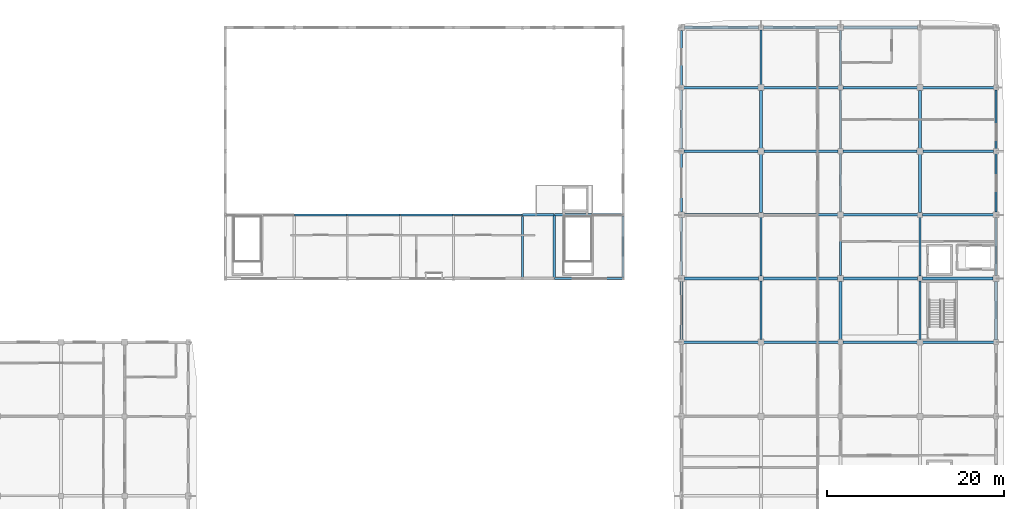
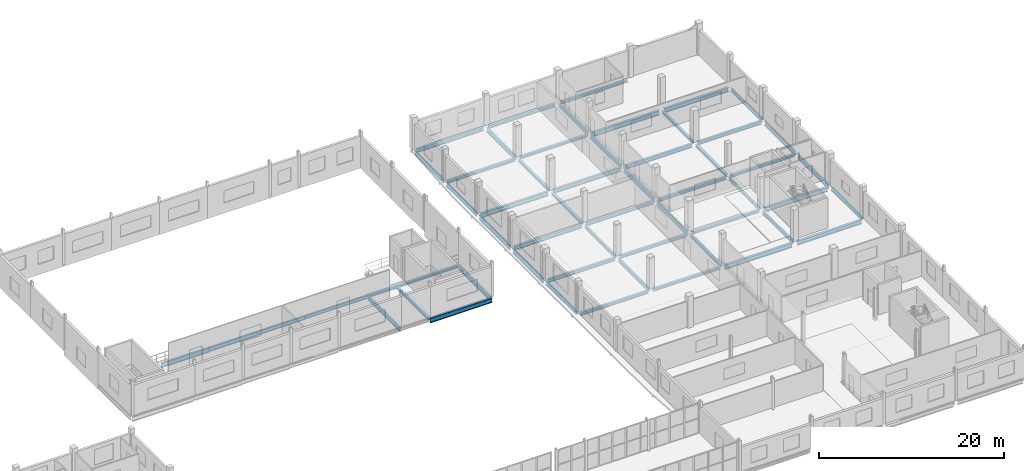
# One storey, part 71 of 121: 56 beams.
"""IFC4 building model written with IfcOpenShell, lengths in metres."""

from ifc_helpers import new_model, si_unit, direction, frame, origin, origin_2d, place, context, subcontext, project, spatial, i_section, extrude, material, material_profile, profile_set, type_object, element, save


model = new_model("IFC4")

# Units and contexts
model_context = context("Model", 3, precision=1e-05, world=origin(), true_north=direction((0.0, 1.0)))
body_context = subcontext(model_context, "Body", "Model", "MODEL_VIEW")
ifc_project = project(units=[si_unit("LENGTHUNIT", "METRE"), si_unit("AREAUNIT", "SQUARE_METRE"), si_unit("VOLUMEUNIT", "CUBIC_METRE"), si_unit("PLANEANGLEUNIT", "RADIAN"), si_unit("MASSUNIT", "GRAM", prefix="KILO")], contexts=[model_context])

# Site, building, storey
site_placement = place(None, origin())
site = spatial("IfcSite", under=ifc_project, at=site_placement, CompositionType="ELEMENT")
building_placement = place(site_placement, origin())
building = spatial("IfcBuilding", under=site, at=building_placement, Name="Vinh Khe Railworks Police Headquarters", CompositionType="ELEMENT")
storey_placement = place(building_placement, frame((0.0, 0.0, 4.800048828125)))
storey = spatial("IfcBuildingStorey", under=building, at=storey_placement, Name="L01", CompositionType="ELEMENT", Elevation=4.800048828125)

# Beams
ifc_material = material(Name="Steel S355JR", Category="steel")
ifc_material_profile_1 = material_profile(ifc_material, i_section(OverallWidth=0.300048828125, OverallDepth=0.330078125, WebThickness=0.009521484375, FlangeThickness=0.0166015625, FilletRadius=0.027099609375, at=origin_2d()), Name="HEA 340")
ifc_profile_set_1 = profile_set([ifc_material_profile_1], Name="Steel S355JR")
beam_type_1 = type_object("IfcBeamType", Name="Steel Girder HEA 340", PredefinedType="BEAM", material=ifc_profile_set_1)
beam_1_placement = place(storey_placement, frame((63.6201171875, 145.199951171875, -0.405029296875), z_axis=(1.0, 0.0, 0.0), x_axis=(0.0, 1.0, 0.0)))
element("IfcBeam", 1, at=beam_1_placement, inside=storey, type_object=beam_type_1, Name="Girder BM-L01-EW-SB-16-0542", PredefinedType="BEAM", context=body_context, shape_type="SweptSolid", body=[
    extrude(i_section(OverallWidth=0.300048828125, OverallDepth=0.330078125, WebThickness=0.009521484375, FlangeThickness=0.0166015625, FilletRadius=0.027099609375, at=origin_2d()), origin(), (0.0, 0.0, 1.0), 7.759765625),
])
beam_2_placement = place(storey_placement, frame((63.60009765625, 138.114990234375, -0.405029296875), z_axis=(0.0, 1.0, 0.0), x_axis=(-1.0, 0.0, 0.0)))
element("IfcBeam", 2, at=beam_2_placement, inside=storey, type_object=beam_type_1, Name="Girder BM-L01-NS-SB-16-0668", PredefinedType="BEAM", context=body_context, shape_type="SweptSolid", body=[
    extrude(i_section(OverallWidth=0.300048828125, OverallDepth=0.330078125, WebThickness=0.009521484375, FlangeThickness=0.0166015625, FilletRadius=0.027099609375, at=origin_2d()), origin(), (0.0, 0.0, 1.0), 6.989990234375),
])
beam_3_placement = place(storey_placement, frame((78.0, 131.054931640625, -0.405029296875), z_axis=(0.0, 1.0, 0.0), x_axis=(-1.0, 0.0, 0.0)))
element("IfcBeam", 3, at=beam_3_placement, inside=storey, type_object=beam_type_1, Name="Girder BM-L01-NS-SB-16-0674", PredefinedType="BEAM", context=body_context, shape_type="SweptSolid", body=[
    extrude(i_section(OverallWidth=0.300048828125, OverallDepth=0.330078125, WebThickness=0.009521484375, FlangeThickness=0.0166015625, FilletRadius=0.027099609375, at=origin_2d()), origin(), (0.0, 0.0, 1.0), 6.614990234375),
])
beam_4_placement = place(storey_placement, frame((87.0, 152.72998046875, -0.405029296875), z_axis=(0.0, 1.0, 0.0), x_axis=(-1.0, 0.0, 0.0)))
element("IfcBeam", 4, at=beam_4_placement, inside=storey, type_object=beam_type_1, Name="Girder BM-L01-NS-SB-16-0686", PredefinedType="BEAM", context=body_context, shape_type="SweptSolid", body=[
    extrude(i_section(OverallWidth=0.300048828125, OverallDepth=0.330078125, WebThickness=0.009521484375, FlangeThickness=0.0166015625, FilletRadius=0.027099609375, at=origin_2d()), origin(), (0.0, 0.0, 1.0), 6.56494140625),
])
beam_5_placement = place(storey_placement, frame((96.0, 131.054931640625, -0.405029296875), z_axis=(0.0, 1.0, 0.0), x_axis=(-1.0, 0.0, 0.0)))
element("IfcBeam", 5, at=beam_5_placement, inside=storey, type_object=beam_type_1, Name="Girder BM-L01-NS-SB-16-0692", PredefinedType="BEAM", context=body_context, shape_type="SweptSolid", body=[
    extrude(i_section(OverallWidth=0.300048828125, OverallDepth=0.330078125, WebThickness=0.009521484375, FlangeThickness=0.0166015625, FilletRadius=0.027099609375, at=origin_2d()), origin(), (0.0, 0.0, 1.0), 6.614990234375),
])
beam_6_placement = place(storey_placement, frame((105.0, 152.72998046875, -0.405029296875), z_axis=(0.0, 1.0, 0.0), x_axis=(-1.0, 0.0, 0.0)))
element("IfcBeam", 6, at=beam_6_placement, inside=storey, type_object=beam_type_1, Name="Girder BM-L01-NS-SB-16-0704", PredefinedType="BEAM", context=body_context, shape_type="SweptSolid", body=[
    extrude(i_section(OverallWidth=0.300048828125, OverallDepth=0.330078125, WebThickness=0.009521484375, FlangeThickness=0.0166015625, FilletRadius=0.027099609375, at=origin_2d()), origin(), (0.0, 0.0, 1.0), 6.56494140625),
])
beam_7_placement = place(storey_placement, frame((113.60009765625, 131.054931640625, -0.405029296875), z_axis=(0.0, 1.0, 0.0), x_axis=(-1.0, 0.0, 0.0)))
element("IfcBeam", 7, at=beam_7_placement, inside=storey, type_object=beam_type_1, Name="Girder BM-L01-NS-SB-16-0710", PredefinedType="BEAM", context=body_context, shape_type="SweptSolid", body=[
    extrude(i_section(OverallWidth=0.300048828125, OverallDepth=0.330078125, WebThickness=0.009521484375, FlangeThickness=0.0166015625, FilletRadius=0.027099609375, at=origin_2d()), origin(), (0.0, 0.0, 1.0), 6.614990234375),
])
ifc_material_profile_2 = material_profile(ifc_material, i_section(OverallWidth=0.300048828125, OverallDepth=0.35009765625, WebThickness=0.010009765625, FlangeThickness=0.017578125, FilletRadius=0.027099609375, at=origin_2d()), Name="HEA 360")
ifc_profile_set_2 = profile_set([ifc_material_profile_2], Name="Steel S355JR")
beam_type_2 = type_object("IfcBeamType", Name="Steel Girder HEA 360", PredefinedType="BEAM", material=ifc_profile_set_2)
beam_8_placement = place(storey_placement, frame((87.304931640625, 130.800048828125, -0.4150390625), z_axis=(1.0, 0.0, 0.0), x_axis=(0.0, 1.0, 0.0)))
element("IfcBeam", 8, at=beam_8_placement, inside=storey, type_object=beam_type_2, Name="Girder BM-L01-EW-SB-15-0522", PredefinedType="BEAM", context=body_context, shape_type="SweptSolid", body=[
    extrude(i_section(OverallWidth=0.300048828125, OverallDepth=0.35009765625, WebThickness=0.010009765625, FlangeThickness=0.017578125, FilletRadius=0.027099609375, at=origin_2d()), origin(), (0.0, 0.0, 1.0), 8.440185546875),
])
beam_9_placement = place(storey_placement, frame((96.330078125, 138.0, -0.4150390625), z_axis=(1.0, 0.0, 0.0), x_axis=(0.0, 1.0, 0.0)))
element("IfcBeam", 9, at=beam_9_placement, inside=storey, type_object=beam_type_2, Name="Girder BM-L01-EW-SB-15-0534", PredefinedType="BEAM", context=body_context, shape_type="SweptSolid", body=[
    extrude(i_section(OverallWidth=0.300048828125, OverallDepth=0.35009765625, WebThickness=0.010009765625, FlangeThickness=0.017578125, FilletRadius=0.027099609375, at=origin_2d()), origin(), (0.0, 0.0, 1.0), 8.389892578125),
])
beam_10_placement = place(storey_placement, frame((60.02001953125, 145.199951171875, -0.4150390625), z_axis=(1.0, 0.0, 0.0), x_axis=(0.0, 1.0, 0.0)))
element("IfcBeam", 10, at=beam_10_placement, inside=storey, type_object=beam_type_2, Name="Girder BM-L01-EW-SB-15-0541", PredefinedType="BEAM", context=body_context, shape_type="SweptSolid", body=[
    extrude(i_section(OverallWidth=0.300048828125, OverallDepth=0.35009765625, WebThickness=0.010009765625, FlangeThickness=0.017578125, FilletRadius=0.027099609375, at=origin_2d()), origin(), (0.0, 0.0, 1.0), 3.56005859375),
])
beam_11_placement = place(storey_placement, frame((105.2548828125, 145.199951171875, -0.4150390625), z_axis=(1.0, 0.0, 0.0), x_axis=(0.0, 1.0, 0.0)))
element("IfcBeam", 11, at=beam_11_placement, inside=storey, type_object=beam_type_2, Name="Girder BM-L01-EW-SB-15-0546", PredefinedType="BEAM", context=body_context, shape_type="SweptSolid", body=[
    extrude(i_section(OverallWidth=0.300048828125, OverallDepth=0.35009765625, WebThickness=0.010009765625, FlangeThickness=0.017578125, FilletRadius=0.027099609375, at=origin_2d()), origin(), (0.0, 0.0, 1.0), 8.0400390625),
])
beam_12_placement = place(storey_placement, frame((87.304931640625, 159.60009765625, -0.4150390625), z_axis=(1.0, 0.0, 0.0), x_axis=(0.0, 1.0, 0.0)))
element("IfcBeam", 12, at=beam_12_placement, inside=storey, type_object=beam_type_2, Name="Girder BM-L01-EW-SB-15-0552", PredefinedType="BEAM", context=body_context, shape_type="SweptSolid", body=[
    extrude(i_section(OverallWidth=0.300048828125, OverallDepth=0.35009765625, WebThickness=0.010009765625, FlangeThickness=0.017578125, FilletRadius=0.027099609375, at=origin_2d()), origin(), (0.0, 0.0, 1.0), 8.440185546875),
])
for number, where, z_axis, x_axis, name in (
    (13, (87.0, 145.455078125, -0.4150390625), (0.0, 1.0, 0.0), (-1.0, 0.0, 0.0), "Girder BM-L01-NS-SB-15-0685"),
    (14, (105.0, 145.455078125, -0.4150390625), (0.0, 1.0, 0.0), (-1.0, 0.0, 0.0), "Girder BM-L01-NS-SB-15-0703"),
):
    element("IfcBeam", number, at=place(storey_placement, frame(where, z_axis=z_axis, x_axis=x_axis)), inside=storey, type_object=beam_type_2, Name=name, PredefinedType="BEAM", context=body_context, shape_type="SweptSolid", body=[
        extrude(i_section(OverallWidth=0.300048828125, OverallDepth=0.35009765625, WebThickness=0.010009765625, FlangeThickness=0.017578125, FilletRadius=0.027099609375, at=origin_2d()), origin(), (0.0, 0.0, 1.0), 6.614990234375),
    ])
ifc_material_profile_3 = material_profile(ifc_material, i_section(OverallWidth=0.300048828125, OverallDepth=0.389892578125, WebThickness=0.010986328125, FlangeThickness=0.01904296875, FilletRadius=0.027099609375, at=origin_2d()), Name="HEA 400")
ifc_profile_set_3 = profile_set([ifc_material_profile_3], Name="Steel S355JR")
beam_type_3 = type_object("IfcBeamType", Name="Steel Girder HEA 400", PredefinedType="BEAM", material=ifc_profile_set_3)
beam_13_placement = place(storey_placement, frame((78.2548828125, 130.800048828125, -0.43505859375), z_axis=(1.0, 0.0, 0.0), x_axis=(0.0, 1.0, 0.0)))
element("IfcBeam", 15, at=beam_13_placement, inside=storey, type_object=beam_type_3, Name="Girder BM-L01-EW-SB-14-0521", PredefinedType="BEAM", context=body_context, shape_type="SweptSolid", body=[
    extrude(i_section(OverallWidth=0.300048828125, OverallDepth=0.389892578125, WebThickness=0.010986328125, FlangeThickness=0.01904296875, FilletRadius=0.027099609375, at=origin_2d()), origin(), (0.0, 0.0, 1.0), 8.440185546875),
])
beam_14_placement = place(storey_placement, frame((87.280029296875, 138.0, -0.43505859375), z_axis=(1.0, 0.0, 0.0), x_axis=(0.0, 1.0, 0.0)))
element("IfcBeam", 16, at=beam_14_placement, inside=storey, type_object=beam_type_3, Name="Girder BM-L01-EW-SB-14-0533", PredefinedType="BEAM", context=body_context, shape_type="SweptSolid", body=[
    extrude(i_section(OverallWidth=0.300048828125, OverallDepth=0.389892578125, WebThickness=0.010986328125, FlangeThickness=0.01904296875, FilletRadius=0.027099609375, at=origin_2d()), origin(), (0.0, 0.0, 1.0), 8.389892578125),
])
for number, where, z_axis, x_axis, name in (
    (17, (96.304931640625, 145.199951171875, -0.43505859375), (1.0, 0.0, 0.0), (0.0, 1.0, 0.0), "Girder BM-L01-EW-SB-14-0545"),
    (18, (78.2548828125, 159.60009765625, -0.43505859375), (1.0, 0.0, 0.0), (0.0, 1.0, 0.0), "Girder BM-L01-EW-SB-14-0551"),
):
    element("IfcBeam", number, at=place(storey_placement, frame(where, z_axis=z_axis, x_axis=x_axis)), inside=storey, type_object=beam_type_3, Name=name, PredefinedType="BEAM", context=body_context, shape_type="SweptSolid", body=[
        extrude(i_section(OverallWidth=0.300048828125, OverallDepth=0.389892578125, WebThickness=0.010986328125, FlangeThickness=0.01904296875, FilletRadius=0.027099609375, at=origin_2d()), origin(), (0.0, 0.0, 1.0), 8.440185546875),
    ])
beam_15_placement = place(storey_placement, frame((96.330078125, 166.39990234375, -0.43505859375), z_axis=(1.0, 0.0, 0.0), x_axis=(0.0, 1.0, 0.0)))
element("IfcBeam", 19, at=beam_15_placement, inside=storey, type_object=beam_type_3, Name="Girder BM-L01-EW-SB-14-0557", PredefinedType="BEAM", context=body_context, shape_type="SweptSolid", body=[
    extrude(i_section(OverallWidth=0.300048828125, OverallDepth=0.389892578125, WebThickness=0.010986328125, FlangeThickness=0.01904296875, FilletRadius=0.027099609375, at=origin_2d()), origin(), (0.0, 0.0, 1.0), 8.389892578125),
])
ifc_material_profile_4 = material_profile(ifc_material, i_section(OverallWidth=0.300048828125, OverallDepth=0.43994140625, WebThickness=0.011474609375, FlangeThickness=0.02099609375, FilletRadius=0.027099609375, at=origin_2d()), Name="HEA 450")
ifc_profile_set_4 = profile_set([ifc_material_profile_4], Name="Steel S355JR")
beam_type_4 = type_object("IfcBeamType", Name="Steel Girder HEA 450", PredefinedType="BEAM", material=ifc_profile_set_4)
beam_16_placement = place(storey_placement, frame((78.330078125, 138.0, -0.4599609375), z_axis=(1.0, 0.0, 0.0), x_axis=(0.0, 1.0, 0.0)))
element("IfcBeam", 20, at=beam_16_placement, inside=storey, type_object=beam_type_4, Name="Girder BM-L01-EW-SB-13-0532", PredefinedType="BEAM", context=body_context, shape_type="SweptSolid", body=[
    extrude(i_section(OverallWidth=0.300048828125, OverallDepth=0.43994140625, WebThickness=0.011474609375, FlangeThickness=0.02099609375, FilletRadius=0.027099609375, at=origin_2d()), origin(), (0.0, 0.0, 1.0), 8.389892578125),
])
beam_17_placement = place(storey_placement, frame((87.2548828125, 145.199951171875, -0.4599609375), z_axis=(1.0, 0.0, 0.0), x_axis=(0.0, 1.0, 0.0)))
element("IfcBeam", 21, at=beam_17_placement, inside=storey, type_object=beam_type_4, Name="Girder BM-L01-EW-SB-13-0544", PredefinedType="BEAM", context=body_context, shape_type="SweptSolid", body=[
    extrude(i_section(OverallWidth=0.300048828125, OverallDepth=0.43994140625, WebThickness=0.011474609375, FlangeThickness=0.02099609375, FilletRadius=0.027099609375, at=origin_2d()), origin(), (0.0, 0.0, 1.0), 8.440185546875),
])
beam_18_placement = place(storey_placement, frame((105.330078125, 152.39990234375, -0.4599609375), z_axis=(1.0, 0.0, 0.0), x_axis=(0.0, 1.0, 0.0)))
element("IfcBeam", 22, at=beam_18_placement, inside=storey, type_object=beam_type_4, Name="Girder BM-L01-EW-SB-13-0550", PredefinedType="BEAM", context=body_context, shape_type="SweptSolid", body=[
    extrude(i_section(OverallWidth=0.300048828125, OverallDepth=0.43994140625, WebThickness=0.011474609375, FlangeThickness=0.02099609375, FilletRadius=0.027099609375, at=origin_2d()), origin(), (0.0, 0.0, 1.0), 7.989990234375),
])
beam_19_placement = place(storey_placement, frame((87.280029296875, 166.39990234375, -0.4599609375), z_axis=(1.0, 0.0, 0.0), x_axis=(0.0, 1.0, 0.0)))
element("IfcBeam", 23, at=beam_19_placement, inside=storey, type_object=beam_type_4, Name="Girder BM-L01-EW-SB-13-0556", PredefinedType="BEAM", context=body_context, shape_type="SweptSolid", body=[
    extrude(i_section(OverallWidth=0.300048828125, OverallDepth=0.43994140625, WebThickness=0.011474609375, FlangeThickness=0.02099609375, FilletRadius=0.027099609375, at=origin_2d()), origin(), (0.0, 0.0, 1.0), 8.389892578125),
])
ifc_material_profile_5 = material_profile(ifc_material, i_section(OverallWidth=0.300048828125, OverallDepth=0.489990234375, WebThickness=0.011962890625, FlangeThickness=0.02294921875, FilletRadius=0.027099609375, at=origin_2d()), Name="HEA 500")
ifc_profile_set_5 = profile_set([ifc_material_profile_5], Name="Steel S355JR")
beam_type_5 = type_object("IfcBeamType", Name="Steel Girder HEA 500", PredefinedType="BEAM", material=ifc_profile_set_5)
beam_20_placement = place(storey_placement, frame((78.304931640625, 145.199951171875, -0.485107421875), z_axis=(1.0, 0.0, 0.0), x_axis=(0.0, 1.0, 0.0)))
element("IfcBeam", 24, at=beam_20_placement, inside=storey, type_object=beam_type_5, Name="Girder BM-L01-EW-SB-12-0543", PredefinedType="BEAM", context=body_context, shape_type="SweptSolid", body=[
    extrude(i_section(OverallWidth=0.300048828125, OverallDepth=0.489990234375, WebThickness=0.011962890625, FlangeThickness=0.02294921875, FilletRadius=0.027099609375, at=origin_2d()), origin(), (0.0, 0.0, 1.0), 8.440185546875),
])
for number, where, z_axis, x_axis, name in (
    (25, (96.280029296875, 152.39990234375, -0.485107421875), (1.0, 0.0, 0.0), (0.0, 1.0, 0.0), "Girder BM-L01-EW-SB-12-0549"),
    (26, (78.330078125, 166.39990234375, -0.485107421875), (1.0, 0.0, 0.0), (0.0, 1.0, 0.0), "Girder BM-L01-EW-SB-12-0555"),
):
    element("IfcBeam", number, at=place(storey_placement, frame(where, z_axis=z_axis, x_axis=x_axis)), inside=storey, type_object=beam_type_5, Name=name, PredefinedType="BEAM", context=body_context, shape_type="SweptSolid", body=[
        extrude(i_section(OverallWidth=0.300048828125, OverallDepth=0.489990234375, WebThickness=0.011962890625, FlangeThickness=0.02294921875, FilletRadius=0.027099609375, at=origin_2d()), origin(), (0.0, 0.0, 1.0), 8.389892578125),
    ])
ifc_material_profile_6 = material_profile(ifc_material, i_section(OverallWidth=0.300048828125, OverallDepth=0.5400390625, WebThickness=0.012451171875, FlangeThickness=0.02392578125, FilletRadius=0.027099609375, at=origin_2d()), Name="HEA 550")
ifc_profile_set_6 = profile_set([ifc_material_profile_6], Name="Steel S355JR")
beam_type_6 = type_object("IfcBeamType", Name="Steel Girder HEA 550", PredefinedType="BEAM", material=ifc_profile_set_6)
beam_21_placement = place(storey_placement, frame((105.304931640625, 130.800048828125, -0.510009765625), z_axis=(1.0, 0.0, 0.0), x_axis=(0.0, 1.0, 0.0)))
element("IfcBeam", 27, at=beam_21_placement, inside=storey, type_object=beam_type_6, Name="Girder BM-L01-EW-SB-11-0524", PredefinedType="BEAM", context=body_context, shape_type="SweptSolid", body=[
    extrude(i_section(OverallWidth=0.300048828125, OverallDepth=0.5400390625, WebThickness=0.012451171875, FlangeThickness=0.02392578125, FilletRadius=0.027099609375, at=origin_2d()), origin(), (0.0, 0.0, 1.0), 8.0400390625),
])
beam_22_placement = place(storey_placement, frame((87.330078125, 152.39990234375, -0.510009765625), z_axis=(1.0, 0.0, 0.0), x_axis=(0.0, 1.0, 0.0)))
element("IfcBeam", 28, at=beam_22_placement, inside=storey, type_object=beam_type_6, Name="Girder BM-L01-EW-SB-11-0548", PredefinedType="BEAM", context=body_context, shape_type="SweptSolid", body=[
    extrude(i_section(OverallWidth=0.300048828125, OverallDepth=0.5400390625, WebThickness=0.012451171875, FlangeThickness=0.02392578125, FilletRadius=0.027099609375, at=origin_2d()), origin(), (0.0, 0.0, 1.0), 8.389892578125),
])
beam_23_placement = place(storey_placement, frame((105.304931640625, 159.60009765625, -0.510009765625), z_axis=(1.0, 0.0, 0.0), x_axis=(0.0, 1.0, 0.0)))
element("IfcBeam", 29, at=beam_23_placement, inside=storey, type_object=beam_type_6, Name="Girder BM-L01-EW-SB-11-0554", PredefinedType="BEAM", context=body_context, shape_type="SweptSolid", body=[
    extrude(i_section(OverallWidth=0.300048828125, OverallDepth=0.5400390625, WebThickness=0.012451171875, FlangeThickness=0.02392578125, FilletRadius=0.027099609375, at=origin_2d()), origin(), (0.0, 0.0, 1.0), 8.0400390625),
])
ifc_material_profile_7 = material_profile(ifc_material, i_section(OverallWidth=0.300048828125, OverallDepth=0.590087890625, WebThickness=0.012939453125, FlangeThickness=0.02490234375, FilletRadius=0.027099609375, at=origin_2d()), Name="HEA 600")
ifc_profile_set_7 = profile_set([ifc_material_profile_7], Name="Steel S355JR")
beam_type_7 = type_object("IfcBeamType", Name="Steel Girder HEA 600", PredefinedType="BEAM", material=ifc_profile_set_7)
beam_24_placement = place(storey_placement, frame((96.2548828125, 130.800048828125, -0.53515625), z_axis=(1.0, 0.0, 0.0), x_axis=(0.0, 1.0, 0.0)))
element("IfcBeam", 30, at=beam_24_placement, inside=storey, type_object=beam_type_7, Name="Girder BM-L01-EW-SB-10-0523", PredefinedType="BEAM", context=body_context, shape_type="SweptSolid", body=[
    extrude(i_section(OverallWidth=0.300048828125, OverallDepth=0.590087890625, WebThickness=0.012939453125, FlangeThickness=0.02490234375, FilletRadius=0.027099609375, at=origin_2d()), origin(), (0.0, 0.0, 1.0), 8.440185546875),
])
beam_25_placement = place(storey_placement, frame((105.280029296875, 138.0, -0.53515625), z_axis=(1.0, 0.0, 0.0), x_axis=(0.0, 1.0, 0.0)))
element("IfcBeam", 31, at=beam_25_placement, inside=storey, type_object=beam_type_7, Name="Girder BM-L01-EW-SB-10-0535", PredefinedType="BEAM", context=body_context, shape_type="SweptSolid", body=[
    extrude(i_section(OverallWidth=0.300048828125, OverallDepth=0.590087890625, WebThickness=0.012939453125, FlangeThickness=0.02490234375, FilletRadius=0.027099609375, at=origin_2d()), origin(), (0.0, 0.0, 1.0), 7.989990234375),
])
beam_26_placement = place(storey_placement, frame((78.280029296875, 152.39990234375, -0.53515625), z_axis=(1.0, 0.0, 0.0), x_axis=(0.0, 1.0, 0.0)))
element("IfcBeam", 32, at=beam_26_placement, inside=storey, type_object=beam_type_7, Name="Girder BM-L01-EW-SB-10-0547", PredefinedType="BEAM", context=body_context, shape_type="SweptSolid", body=[
    extrude(i_section(OverallWidth=0.300048828125, OverallDepth=0.590087890625, WebThickness=0.012939453125, FlangeThickness=0.02490234375, FilletRadius=0.027099609375, at=origin_2d()), origin(), (0.0, 0.0, 1.0), 8.389892578125),
])
beam_27_placement = place(storey_placement, frame((96.2548828125, 159.60009765625, -0.53515625), z_axis=(1.0, 0.0, 0.0), x_axis=(0.0, 1.0, 0.0)))
element("IfcBeam", 33, at=beam_27_placement, inside=storey, type_object=beam_type_7, Name="Girder BM-L01-EW-SB-10-0553", PredefinedType="BEAM", context=body_context, shape_type="SweptSolid", body=[
    extrude(i_section(OverallWidth=0.300048828125, OverallDepth=0.590087890625, WebThickness=0.012939453125, FlangeThickness=0.02490234375, FilletRadius=0.027099609375, at=origin_2d()), origin(), (0.0, 0.0, 1.0), 8.440185546875),
])
ifc_material_profile_8 = material_profile(ifc_material, i_section(OverallWidth=0.18994140625, OverallDepth=0.449951171875, WebThickness=0.009521484375, FlangeThickness=0.0146484375, FilletRadius=0.02099609375, at=origin_2d()), Name="IPE 450")
ifc_profile_set_8 = profile_set([ifc_material_profile_8], Name="Steel S355JR")
beam_type_8 = type_object("IfcBeamType", Name="Steel Girder IPE 450", PredefinedType="BEAM", material=ifc_profile_set_8)
beam_28_placement = place(storey_placement, frame((52.219970703125, 145.199951171875, -0.465087890625), z_axis=(1.0, 0.0, 0.0), x_axis=(0.0, 1.0, 0.0)))
element("IfcBeam", 34, at=beam_28_placement, inside=storey, type_object=beam_type_8, Name="Girder BM-L01-EW-SB-20-0540", PredefinedType="BEAM", context=body_context, shape_type="SweptSolid", body=[
    extrude(i_section(OverallWidth=0.18994140625, OverallDepth=0.449951171875, WebThickness=0.009521484375, FlangeThickness=0.0146484375, FilletRadius=0.02099609375, at=origin_2d()), origin(), (0.0, 0.0, 1.0), 7.760009765625),
])
beam_29_placement = place(storey_placement, frame((78.0, 159.85498046875, -0.465087890625), z_axis=(0.0, 1.0, 0.0), x_axis=(-1.0, 0.0, 0.0)))
element("IfcBeam", 35, at=beam_29_placement, inside=storey, type_object=beam_type_8, Name="Girder BM-L01-NS-SB-20-0678", PredefinedType="BEAM", context=body_context, shape_type="SweptSolid", body=[
    extrude(i_section(OverallWidth=0.18994140625, OverallDepth=0.449951171875, WebThickness=0.009521484375, FlangeThickness=0.0146484375, FilletRadius=0.02099609375, at=origin_2d()), origin(), (0.0, 0.0, 1.0), 6.215087890625),
])
beam_30_placement = place(storey_placement, frame((87.0, 138.280029296875, -0.465087890625), z_axis=(0.0, 1.0, 0.0), x_axis=(-1.0, 0.0, 0.0)))
element("IfcBeam", 36, at=beam_30_placement, inside=storey, type_object=beam_type_8, Name="Girder BM-L01-NS-SB-20-0684", PredefinedType="BEAM", context=body_context, shape_type="SweptSolid", body=[
    extrude(i_section(OverallWidth=0.18994140625, OverallDepth=0.449951171875, WebThickness=0.009521484375, FlangeThickness=0.0146484375, FilletRadius=0.02099609375, at=origin_2d()), origin(), (0.0, 0.0, 1.0), 6.6650390625),
])
beam_31_placement = place(storey_placement, frame((96.0, 159.85498046875, -0.465087890625), z_axis=(0.0, 1.0, 0.0), x_axis=(-1.0, 0.0, 0.0)))
element("IfcBeam", 37, at=beam_31_placement, inside=storey, type_object=beam_type_8, Name="Girder BM-L01-NS-SB-20-0696", PredefinedType="BEAM", context=body_context, shape_type="SweptSolid", body=[
    extrude(i_section(OverallWidth=0.18994140625, OverallDepth=0.449951171875, WebThickness=0.009521484375, FlangeThickness=0.0146484375, FilletRadius=0.02099609375, at=origin_2d()), origin(), (0.0, 0.0, 1.0), 6.215087890625),
])
beam_32_placement = place(storey_placement, frame((105.0, 138.280029296875, -0.465087890625), z_axis=(0.0, 1.0, 0.0), x_axis=(-1.0, 0.0, 0.0)))
element("IfcBeam", 38, at=beam_32_placement, inside=storey, type_object=beam_type_8, Name="Girder BM-L01-NS-SB-20-0702", PredefinedType="BEAM", context=body_context, shape_type="SweptSolid", body=[
    extrude(i_section(OverallWidth=0.18994140625, OverallDepth=0.449951171875, WebThickness=0.009521484375, FlangeThickness=0.0146484375, FilletRadius=0.02099609375, at=origin_2d()), origin(), (0.0, 0.0, 1.0), 6.6650390625),
])
ifc_material_profile_9 = material_profile(ifc_material, i_section(OverallWidth=0.199951171875, OverallDepth=0.5, WebThickness=0.01025390625, FlangeThickness=0.01611328125, FilletRadius=0.02099609375, at=origin_2d()), Name="IPE 500")
ifc_profile_set_9 = profile_set([ifc_material_profile_9], Name="Steel S355JR")
beam_type_9 = type_object("IfcBeamType", Name="Steel Girder IPE 500", PredefinedType="BEAM", material=ifc_profile_set_9)
beam_33_placement = place(storey_placement, frame((46.219970703125, 145.199951171875, -0.489990234375), z_axis=(1.0, 0.0, 0.0), x_axis=(0.0, 1.0, 0.0)))
element("IfcBeam", 39, at=beam_33_placement, inside=storey, type_object=beam_type_9, Name="Girder BM-L01-EW-SB-19-0539", PredefinedType="BEAM", context=body_context, shape_type="SweptSolid", body=[
    extrude(i_section(OverallWidth=0.199951171875, OverallDepth=0.5, WebThickness=0.01025390625, FlangeThickness=0.01611328125, FilletRadius=0.02099609375, at=origin_2d()), origin(), (0.0, 0.0, 1.0), 5.9599609375),
])
beam_34_placement = place(storey_placement, frame((78.0, 152.679931640625, -0.489990234375), z_axis=(0.0, 1.0, 0.0), x_axis=(-1.0, 0.0, 0.0)))
element("IfcBeam", 40, at=beam_34_placement, inside=storey, type_object=beam_type_9, Name="Girder BM-L01-NS-SB-19-0677", PredefinedType="BEAM", context=body_context, shape_type="SweptSolid", body=[
    extrude(i_section(OverallWidth=0.199951171875, OverallDepth=0.5, WebThickness=0.01025390625, FlangeThickness=0.01611328125, FilletRadius=0.02099609375, at=origin_2d()), origin(), (0.0, 0.0, 1.0), 6.6650390625),
])
beam_35_placement = place(storey_placement, frame((87.0, 131.10498046875, -0.489990234375), z_axis=(0.0, 1.0, 0.0), x_axis=(-1.0, 0.0, 0.0)))
element("IfcBeam", 41, at=beam_35_placement, inside=storey, type_object=beam_type_9, Name="Girder BM-L01-NS-SB-19-0683", PredefinedType="BEAM", context=body_context, shape_type="SweptSolid", body=[
    extrude(i_section(OverallWidth=0.199951171875, OverallDepth=0.5, WebThickness=0.01025390625, FlangeThickness=0.01611328125, FilletRadius=0.02099609375, at=origin_2d()), origin(), (0.0, 0.0, 1.0), 6.614990234375),
])
beam_36_placement = place(storey_placement, frame((96.0, 152.679931640625, -0.489990234375), z_axis=(0.0, 1.0, 0.0), x_axis=(-1.0, 0.0, 0.0)))
element("IfcBeam", 42, at=beam_36_placement, inside=storey, type_object=beam_type_9, Name="Girder BM-L01-NS-SB-19-0695", PredefinedType="BEAM", context=body_context, shape_type="SweptSolid", body=[
    extrude(i_section(OverallWidth=0.199951171875, OverallDepth=0.5, WebThickness=0.01025390625, FlangeThickness=0.01611328125, FilletRadius=0.02099609375, at=origin_2d()), origin(), (0.0, 0.0, 1.0), 6.6650390625),
])
beam_37_placement = place(storey_placement, frame((105.0, 131.10498046875, -0.489990234375), z_axis=(0.0, 1.0, 0.0), x_axis=(-1.0, 0.0, 0.0)))
element("IfcBeam", 43, at=beam_37_placement, inside=storey, type_object=beam_type_9, Name="Girder BM-L01-NS-SB-19-0701", PredefinedType="BEAM", context=body_context, shape_type="SweptSolid", body=[
    extrude(i_section(OverallWidth=0.199951171875, OverallDepth=0.5, WebThickness=0.01025390625, FlangeThickness=0.01611328125, FilletRadius=0.02099609375, at=origin_2d()), origin(), (0.0, 0.0, 1.0), 6.614990234375),
])
beam_38_placement = place(storey_placement, frame((113.60009765625, 152.679931640625, -0.489990234375), z_axis=(0.0, 1.0, 0.0), x_axis=(-1.0, 0.0, 0.0)))
element("IfcBeam", 44, at=beam_38_placement, inside=storey, type_object=beam_type_9, Name="Girder BM-L01-NS-SB-19-0713", PredefinedType="BEAM", context=body_context, shape_type="SweptSolid", body=[
    extrude(i_section(OverallWidth=0.199951171875, OverallDepth=0.5, WebThickness=0.01025390625, FlangeThickness=0.01611328125, FilletRadius=0.02099609375, at=origin_2d()), origin(), (0.0, 0.0, 1.0), 6.6650390625),
])
ifc_material_profile_10 = material_profile(ifc_material, i_section(OverallWidth=0.2099609375, OverallDepth=0.550048828125, WebThickness=0.010986328125, FlangeThickness=0.01708984375, FilletRadius=0.02392578125, at=origin_2d()), Name="IPE 550")
ifc_profile_set_10 = profile_set([ifc_material_profile_10], Name="Steel S355JR")
beam_type_10 = type_object("IfcBeamType", Name="Steel Girder IPE 550", PredefinedType="BEAM", material=ifc_profile_set_10)
beam_39_placement = place(storey_placement, frame((40.219970703125, 145.199951171875, -0.51513671875), z_axis=(1.0, 0.0, 0.0), x_axis=(0.0, 1.0, 0.0)))
element("IfcBeam", 45, at=beam_39_placement, inside=storey, type_object=beam_type_10, Name="Girder BM-L01-EW-SB-18-0538", PredefinedType="BEAM", context=body_context, shape_type="SweptSolid", body=[
    extrude(i_section(OverallWidth=0.2099609375, OverallDepth=0.550048828125, WebThickness=0.010986328125, FlangeThickness=0.01708984375, FilletRadius=0.02392578125, at=origin_2d()), origin(), (0.0, 0.0, 1.0), 5.9599609375),
])
beam_40_placement = place(storey_placement, frame((60.0, 138.094970703125, -0.51513671875), z_axis=(0.0, 1.0, 0.0), x_axis=(-1.0, 0.0, 0.0)))
element("IfcBeam", 46, at=beam_40_placement, inside=storey, type_object=beam_type_10, Name="Girder BM-L01-NS-SB-18-0664", PredefinedType="BEAM", context=body_context, shape_type="SweptSolid", body=[
    extrude(i_section(OverallWidth=0.2099609375, OverallDepth=0.550048828125, WebThickness=0.010986328125, FlangeThickness=0.01708984375, FilletRadius=0.02392578125, at=origin_2d()), origin(), (0.0, 0.0, 1.0), 6.945068359375),
])
for number, where, z_axis, x_axis, name in (
    (47, (78.0, 145.5048828125, -0.51513671875), (0.0, 1.0, 0.0), (-1.0, 0.0, 0.0), "Girder BM-L01-NS-SB-18-0676"),
    (48, (96.0, 145.5048828125, -0.51513671875), (0.0, 1.0, 0.0), (-1.0, 0.0, 0.0), "Girder BM-L01-NS-SB-18-0694"),
    (49, (113.60009765625, 145.5048828125, -0.51513671875), (0.0, 1.0, 0.0), (-1.0, 0.0, 0.0), "Girder BM-L01-NS-SB-18-0712"),
):
    element("IfcBeam", number, at=place(storey_placement, frame(where, z_axis=z_axis, x_axis=x_axis)), inside=storey, type_object=beam_type_10, Name=name, PredefinedType="BEAM", context=body_context, shape_type="SweptSolid", body=[
        extrude(i_section(OverallWidth=0.2099609375, OverallDepth=0.550048828125, WebThickness=0.010986328125, FlangeThickness=0.01708984375, FilletRadius=0.02392578125, at=origin_2d()), origin(), (0.0, 0.0, 1.0), 6.615234375),
    ])
ifc_material_profile_11 = material_profile(ifc_material, i_section(OverallWidth=0.219970703125, OverallDepth=0.60009765625, WebThickness=0.011962890625, FlangeThickness=0.01904296875, FilletRadius=0.02392578125, at=origin_2d()), Name="IPE 600")
ifc_profile_set_11 = profile_set([ifc_material_profile_11], Name="Steel S355JR")
beam_type_11 = type_object("IfcBeamType", Name="Steel Girder IPE 600", PredefinedType="BEAM", material=ifc_profile_set_11)
beam_41_placement = place(storey_placement, frame((63.6201171875, 138.0, -0.5400390625), z_axis=(1.0, 0.0, 0.0), x_axis=(0.0, 1.0, 0.0)))
element("IfcBeam", 50, at=beam_41_placement, inside=storey, type_object=beam_type_11, Name="Girder BM-L01-EW-SB-17-0531", PredefinedType="BEAM", context=body_context, shape_type="SweptSolid", body=[
    extrude(i_section(OverallWidth=0.219970703125, OverallDepth=0.60009765625, WebThickness=0.011962890625, FlangeThickness=0.01904296875, FilletRadius=0.02392578125, at=origin_2d()), origin(), (0.0, 0.0, 1.0), 7.759765625),
])
beam_42_placement = place(storey_placement, frame((34.219970703125, 145.199951171875, -0.5400390625), z_axis=(1.0, 0.0, 0.0), x_axis=(0.0, 1.0, 0.0)))
element("IfcBeam", 51, at=beam_42_placement, inside=storey, type_object=beam_type_11, Name="Girder BM-L01-EW-SB-17-0537", PredefinedType="BEAM", context=body_context, shape_type="SweptSolid", body=[
    extrude(i_section(OverallWidth=0.219970703125, OverallDepth=0.60009765625, WebThickness=0.011962890625, FlangeThickness=0.01904296875, FilletRadius=0.02392578125, at=origin_2d()), origin(), (0.0, 0.0, 1.0), 5.9599609375),
])
beam_43_placement = place(storey_placement, frame((71.39990234375, 138.1298828125, -0.5400390625), z_axis=(0.0, 1.0, 0.0), x_axis=(-1.0, 0.0, 0.0)))
element("IfcBeam", 52, at=beam_43_placement, inside=storey, type_object=beam_type_11, Name="Girder BM-L01-NS-SB-17-0669", PredefinedType="BEAM", context=body_context, shape_type="SweptSolid", body=[
    extrude(i_section(OverallWidth=0.219970703125, OverallDepth=0.60009765625, WebThickness=0.011962890625, FlangeThickness=0.01904296875, FilletRadius=0.02392578125, at=origin_2d()), origin(), (0.0, 0.0, 1.0), 6.960205078125),
])
beam_44_placement = place(storey_placement, frame((78.0, 138.330078125, -0.5400390625), z_axis=(0.0, 1.0, 0.0), x_axis=(-1.0, 0.0, 0.0)))
element("IfcBeam", 53, at=beam_44_placement, inside=storey, type_object=beam_type_11, Name="Girder BM-L01-NS-SB-17-0675", PredefinedType="BEAM", context=body_context, shape_type="SweptSolid", body=[
    extrude(i_section(OverallWidth=0.219970703125, OverallDepth=0.60009765625, WebThickness=0.011962890625, FlangeThickness=0.01904296875, FilletRadius=0.02392578125, at=origin_2d()), origin(), (0.0, 0.0, 1.0), 6.56494140625),
])
beam_45_placement = place(storey_placement, frame((87.0, 159.905029296875, -0.5400390625), z_axis=(0.0, 1.0, 0.0), x_axis=(-1.0, 0.0, 0.0)))
element("IfcBeam", 54, at=beam_45_placement, inside=storey, type_object=beam_type_11, Name="Girder BM-L01-NS-SB-17-0687", PredefinedType="BEAM", context=body_context, shape_type="SweptSolid", body=[
    extrude(i_section(OverallWidth=0.219970703125, OverallDepth=0.60009765625, WebThickness=0.011962890625, FlangeThickness=0.01904296875, FilletRadius=0.02392578125, at=origin_2d()), origin(), (0.0, 0.0, 1.0), 6.215087890625),
])
for number, where, z_axis, x_axis, name in (
    (55, (96.0, 138.330078125, -0.5400390625), (0.0, 1.0, 0.0), (-1.0, 0.0, 0.0), "Girder BM-L01-NS-SB-17-0693"),
    (56, (113.60009765625, 138.330078125, -0.5400390625), (0.0, 1.0, 0.0), (-1.0, 0.0, 0.0), "Girder BM-L01-NS-SB-17-0711"),
):
    element("IfcBeam", number, at=place(storey_placement, frame(where, z_axis=z_axis, x_axis=x_axis)), inside=storey, type_object=beam_type_11, Name=name, PredefinedType="BEAM", context=body_context, shape_type="SweptSolid", body=[
        extrude(i_section(OverallWidth=0.219970703125, OverallDepth=0.60009765625, WebThickness=0.011962890625, FlangeThickness=0.01904296875, FilletRadius=0.02392578125, at=origin_2d()), origin(), (0.0, 0.0, 1.0), 6.56494140625),
    ])

save(model, "model.ifc")
